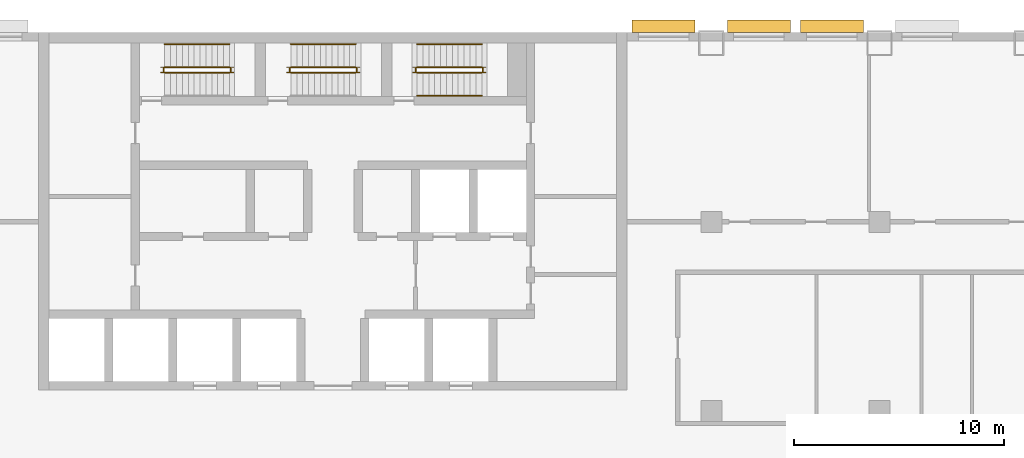
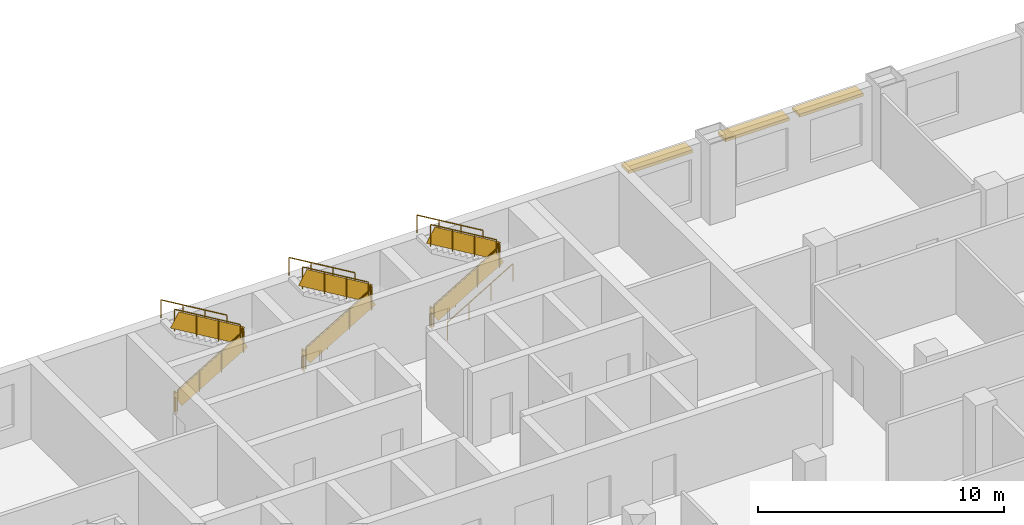
# One storey, part 24 of 25: 16 railings, 3 shading devices.
"""IFC4 building model written with IfcOpenShell, lengths in metres."""

from ifc_helpers import new_model, si_unit, direction, frame, origin, origin_2d, place, context, subcontext, project, spatial, rectangle, circle, extrude, material, layer, layer_set, type_object, element, save


model = new_model("IFC4")

# Units and contexts
model_context = context("Model", 3, precision=1e-05, world=origin(), true_north=direction((0.0, 1.0)))
body_context = subcontext(model_context, "Body", "Model", "MODEL_VIEW")
ifc_project = project(units=[si_unit("LENGTHUNIT", "METRE"), si_unit("AREAUNIT", "SQUARE_METRE"), si_unit("VOLUMEUNIT", "CUBIC_METRE"), si_unit("PLANEANGLEUNIT", "RADIAN"), si_unit("MASSUNIT", "GRAM", prefix="KILO")], contexts=[model_context])

# Site, building, storey
site_placement = place(None, origin())
site = spatial("IfcSite", under=ifc_project, at=site_placement, CompositionType="ELEMENT")
building_placement = place(site_placement, origin())
building = spatial("IfcBuilding", under=site, at=building_placement, Name="Vidyagriha Tower", CompositionType="ELEMENT")
storey_placement = place(building_placement, frame((0.0, 0.0, 10.0)))
storey = spatial("IfcBuildingStorey", under=building, at=storey_placement, Name="L02", CompositionType="ELEMENT", Elevation=10.0)

# Shading devices
ifc_material_1 = material(Name="Precast concrete C40/50 with brick facing", Category="concrete")
ifc_layer = layer(ifc_material_1, 0.14990234375)
ifc_layer_set = layer_set([ifc_layer], Name="Precast concrete C40/50 with brick facing")
shading_device_type = type_object("IfcShadingDeviceType", Name="Brick chhajja window hood", PredefinedType="AWNING", material=ifc_layer_set)
for number, where, z_axis, x_axis, name in (
    (1, (23.735107421875, 20.300048828125, 3.0), (0.0, 0.0, 1.0), (-1.0, 0.0, 0.0), "Window hood L02 R02.9"),
    (2, (20.264892578125, 20.300048828125, 3.0), (0.0, 0.0, 1.0), (-1.0, 0.0, 0.0), "Window hood L02 R02.10"),
    (3, (15.735107421875, 20.300048828125, 3.0), (0.0, 0.0, 1.0), (-1.0, 0.0, 0.0), "Window hood L02 R02.12"),
):
    element("IfcShadingDevice", number, at=place(storey_placement, frame(where, z_axis=z_axis, x_axis=x_axis)), inside=storey, type_object=shading_device_type, Name=name, PredefinedType="AWNING", context=body_context, shape_type="SweptSolid", body=[
        extrude(rectangle(XDim=3.0, YDim=0.60009765625, at=origin_2d()), origin(), (0.0, 0.0, 1.0), 0.14990234375),
    ])

# Railings
ifc_material_2 = material(Name="Steel ASTM A500 Grade C", Category="steel")
railing_type_1 = type_object("IfcRailingType", Name="Stair guard 1100 mm, steel balustrade", PredefinedType="GUARDRAIL", material=ifc_material_2)
railing_1_placement = place(storey_placement, frame((-8.0, 18.10009765625, 0.166748046875)))
element("IfcRailing", 4, at=railing_1_placement, inside=storey, type_object=railing_type_1, Name="L02 ST1 stair guard 1", PredefinedType="GUARDRAIL", context=body_context, shape_type="SweptSolid", body=[
    extrude(circle(Radius=0.02392578125, at=origin_2d()), frame((0.0, 0.0, 1.076171875), z_axis=(0.859308565015, 0.0, 0.511457515432), x_axis=(0.0, 1.0, 0.0)), (0.0, 0.0, 1.0), 3.58447265625),
    extrude(circle(Radius=0.02099609375, at=origin_2d()), origin(), (0.0, 0.0, 1.0), 1.052001953125),
    extrude(circle(Radius=0.02099609375, at=origin_2d()), frame((1.026611328125, 0.0, 0.611083984375)), (0.0, 0.0, 1.0), 1.052001953125),
    extrude(circle(Radius=0.02099609375, at=origin_2d()), frame((2.053466796875, 0.0, 1.22216796875)), (0.0, 0.0, 1.0), 1.052001953125),
    extrude(circle(Radius=0.02099609375, at=origin_2d()), frame((3.080078125, 0.0, 1.833251953125)), (0.0, 0.0, 1.0), 1.052001953125),
    extrude(rectangle(XDim=0.010009765625, YDim=0.775146484375, at=origin_2d()), frame((0.0, 0.0, 0.551025390625), z_axis=(0.859308565015, 0.0, 0.511457515432), x_axis=(0.0, 1.0, 0.0)), (0.0, 0.0, 1.0), 3.58447265625),
])
railing_2_placement = place(storey_placement, frame((-4.8701171875, 18.14990234375, 2.0)))
element("IfcRailing", 5, at=railing_2_placement, inside=storey, type_object=railing_type_1, Name="L02 ST1 stair guard 2", PredefinedType="GUARDRAIL", context=body_context, shape_type="SweptSolid", body=[
    extrude(circle(Radius=0.02392578125, at=origin_2d()), frame((0.0, 0.0, 1.076171875), z_axis=(0.0, 1.0, 0.0), x_axis=(-1.0, 0.0, 0.0)), (0.0, 0.0, 1.0), 0.150146484375),
    extrude(circle(Radius=0.02099609375, at=origin_2d()), origin(), (0.0, 0.0, 1.0), 1.052001953125),
    extrude(circle(Radius=0.02099609375, at=origin_2d()), frame((0.0, 0.150146484375, 0.0)), (0.0, 0.0, 1.0), 1.052001953125),
    extrude(rectangle(XDim=0.010009765625, YDim=0.902099609375, at=origin_2d()), frame((0.0, 0.0, 0.551025390625), z_axis=(0.0, 1.0, 0.0), x_axis=(-1.0, 0.0, 0.0)), (0.0, 0.0, 1.0), 0.150146484375),
])
railing_3_placement = place(storey_placement, frame((-4.919921875, 18.35009765625, 2.166748046875)))
element("IfcRailing", 6, at=railing_3_placement, inside=storey, type_object=railing_type_1, Name="L02 ST1 stair guard 3", PredefinedType="GUARDRAIL", context=body_context, shape_type="SweptSolid", body=[
    extrude(circle(Radius=0.02392578125, at=origin_2d()), frame((0.0, 0.0, 1.076171875), z_axis=(-0.859308565015, 0.0, 0.511457515432), x_axis=(0.0, -1.0, 0.0)), (0.0, 0.0, 1.0), 3.58447265625),
    extrude(circle(Radius=0.02099609375, at=origin_2d()), origin(), (0.0, 0.0, 1.0), 1.052001953125),
    extrude(circle(Radius=0.02099609375, at=origin_2d()), frame((-1.026611328125, 0.0, 0.611083984375)), (0.0, 0.0, 1.0), 1.052001953125),
    extrude(circle(Radius=0.02099609375, at=origin_2d()), frame((-2.053466796875, 0.0, 1.22216796875)), (0.0, 0.0, 1.0), 1.052001953125),
    extrude(circle(Radius=0.02099609375, at=origin_2d()), frame((-3.080078125, 0.0, 1.833251953125)), (0.0, 0.0, 1.0), 1.052001953125),
    extrude(rectangle(XDim=0.010009765625, YDim=0.775146484375, at=origin_2d()), frame((0.0, 0.0, 0.551025390625), z_axis=(-0.859308565015, 0.0, 0.511457515432), x_axis=(0.0, -1.0, 0.0)), (0.0, 0.0, 1.0), 3.58447265625),
])
railing_4_placement = place(storey_placement, frame((-8.050048828125, 18.14990234375, 0.0)))
element("IfcRailing", 7, at=railing_4_placement, inside=storey, type_object=railing_type_1, Name="L02 ST1 stair guard 4", PredefinedType="GUARDRAIL", context=body_context, shape_type="SweptSolid", body=[
    extrude(circle(Radius=0.02392578125, at=origin_2d()), frame((0.0, 0.0, 1.076171875), z_axis=(0.0, 1.0, 0.0), x_axis=(-1.0, 0.0, 0.0)), (0.0, 0.0, 1.0), 0.150146484375),
    extrude(circle(Radius=0.02099609375, at=origin_2d()), origin(), (0.0, 0.0, 1.0), 1.052001953125),
    extrude(circle(Radius=0.02099609375, at=origin_2d()), frame((0.0, 0.150146484375, 0.0)), (0.0, 0.0, 1.0), 1.052001953125),
    extrude(rectangle(XDim=0.010009765625, YDim=0.902099609375, at=origin_2d()), frame((0.0, 0.0, 0.551025390625), z_axis=(0.0, 1.0, 0.0), x_axis=(-1.0, 0.0, 0.0)), (0.0, 0.0, 1.0), 0.150146484375),
])
railing_5_placement = place(storey_placement, frame((-2.0, 18.10009765625, 0.166748046875)))
element("IfcRailing", 8, at=railing_5_placement, inside=storey, type_object=railing_type_1, Name="L02 ST2 stair guard 1", PredefinedType="GUARDRAIL", context=body_context, shape_type="SweptSolid", body=[
    extrude(circle(Radius=0.02392578125, at=origin_2d()), frame((0.0, 0.0, 1.076171875), z_axis=(0.859308565015, 0.0, 0.511457515432), x_axis=(0.0, 1.0, 0.0)), (0.0, 0.0, 1.0), 3.58447265625),
    extrude(circle(Radius=0.02099609375, at=origin_2d()), origin(), (0.0, 0.0, 1.0), 1.052001953125),
    extrude(circle(Radius=0.02099609375, at=origin_2d()), frame((1.026611328125, 0.0, 0.611083984375)), (0.0, 0.0, 1.0), 1.052001953125),
    extrude(circle(Radius=0.02099609375, at=origin_2d()), frame((2.053466796875, 0.0, 1.22216796875)), (0.0, 0.0, 1.0), 1.052001953125),
    extrude(circle(Radius=0.02099609375, at=origin_2d()), frame((3.080078125, 0.0, 1.833251953125)), (0.0, 0.0, 1.0), 1.052001953125),
    extrude(rectangle(XDim=0.010009765625, YDim=0.775146484375, at=origin_2d()), frame((0.0, 0.0, 0.551025390625), z_axis=(0.859308565015, 0.0, 0.511457515432), x_axis=(0.0, 1.0, 0.0)), (0.0, 0.0, 1.0), 3.58447265625),
])
railing_6_placement = place(storey_placement, frame((1.1298828125, 18.14990234375, 2.0)))
element("IfcRailing", 9, at=railing_6_placement, inside=storey, type_object=railing_type_1, Name="L02 ST2 stair guard 2", PredefinedType="GUARDRAIL", context=body_context, shape_type="SweptSolid", body=[
    extrude(circle(Radius=0.02392578125, at=origin_2d()), frame((0.0, 0.0, 1.076171875), z_axis=(0.0, 1.0, 0.0), x_axis=(-1.0, 0.0, 0.0)), (0.0, 0.0, 1.0), 0.150146484375),
    extrude(circle(Radius=0.02099609375, at=origin_2d()), origin(), (0.0, 0.0, 1.0), 1.052001953125),
    extrude(circle(Radius=0.02099609375, at=origin_2d()), frame((0.0, 0.150146484375, 0.0)), (0.0, 0.0, 1.0), 1.052001953125),
    extrude(rectangle(XDim=0.010009765625, YDim=0.902099609375, at=origin_2d()), frame((0.0, 0.0, 0.551025390625), z_axis=(0.0, 1.0, 0.0), x_axis=(-1.0, 0.0, 0.0)), (0.0, 0.0, 1.0), 0.150146484375),
])
railing_7_placement = place(storey_placement, frame((1.080078125, 18.35009765625, 2.166748046875)))
element("IfcRailing", 10, at=railing_7_placement, inside=storey, type_object=railing_type_1, Name="L02 ST2 stair guard 3", PredefinedType="GUARDRAIL", context=body_context, shape_type="SweptSolid", body=[
    extrude(circle(Radius=0.02392578125, at=origin_2d()), frame((0.0, 0.0, 1.076171875), z_axis=(-0.859308565015, 0.0, 0.511457515432), x_axis=(0.0, -1.0, 0.0)), (0.0, 0.0, 1.0), 3.58447265625),
    extrude(circle(Radius=0.02099609375, at=origin_2d()), origin(), (0.0, 0.0, 1.0), 1.052001953125),
    extrude(circle(Radius=0.02099609375, at=origin_2d()), frame((-1.026611328125, 0.0, 0.611083984375)), (0.0, 0.0, 1.0), 1.052001953125),
    extrude(circle(Radius=0.02099609375, at=origin_2d()), frame((-2.053466796875, 0.0, 1.22216796875)), (0.0, 0.0, 1.0), 1.052001953125),
    extrude(circle(Radius=0.02099609375, at=origin_2d()), frame((-3.080078125, 0.0, 1.833251953125)), (0.0, 0.0, 1.0), 1.052001953125),
    extrude(rectangle(XDim=0.010009765625, YDim=0.775146484375, at=origin_2d()), frame((0.0, 0.0, 0.551025390625), z_axis=(-0.859308565015, 0.0, 0.511457515432), x_axis=(0.0, -1.0, 0.0)), (0.0, 0.0, 1.0), 3.58447265625),
])
railing_8_placement = place(storey_placement, frame((-2.050048828125, 18.14990234375, 0.0)))
element("IfcRailing", 11, at=railing_8_placement, inside=storey, type_object=railing_type_1, Name="L02 ST2 stair guard 4", PredefinedType="GUARDRAIL", context=body_context, shape_type="SweptSolid", body=[
    extrude(circle(Radius=0.02392578125, at=origin_2d()), frame((0.0, 0.0, 1.076171875), z_axis=(0.0, 1.0, 0.0), x_axis=(-1.0, 0.0, 0.0)), (0.0, 0.0, 1.0), 0.150146484375),
    extrude(circle(Radius=0.02099609375, at=origin_2d()), origin(), (0.0, 0.0, 1.0), 1.052001953125),
    extrude(circle(Radius=0.02099609375, at=origin_2d()), frame((0.0, 0.150146484375, 0.0)), (0.0, 0.0, 1.0), 1.052001953125),
    extrude(rectangle(XDim=0.010009765625, YDim=0.902099609375, at=origin_2d()), frame((0.0, 0.0, 0.551025390625), z_axis=(0.0, 1.0, 0.0), x_axis=(-1.0, 0.0, 0.0)), (0.0, 0.0, 1.0), 0.150146484375),
])
railing_9_placement = place(storey_placement, frame((4.0, 18.10009765625, 0.166748046875)))
element("IfcRailing", 12, at=railing_9_placement, inside=storey, type_object=railing_type_1, Name="L02 ST3 stair guard 1", PredefinedType="GUARDRAIL", context=body_context, shape_type="SweptSolid", body=[
    extrude(circle(Radius=0.02392578125, at=origin_2d()), frame((0.0, 0.0, 1.076171875), z_axis=(0.859308565015, 0.0, 0.511457515432), x_axis=(0.0, 1.0, 0.0)), (0.0, 0.0, 1.0), 3.58447265625),
    extrude(circle(Radius=0.02099609375, at=origin_2d()), origin(), (0.0, 0.0, 1.0), 1.052001953125),
    extrude(circle(Radius=0.02099609375, at=origin_2d()), frame((1.026611328125, 0.0, 0.611083984375)), (0.0, 0.0, 1.0), 1.052001953125),
    extrude(circle(Radius=0.02099609375, at=origin_2d()), frame((2.053466796875, 0.0, 1.22216796875)), (0.0, 0.0, 1.0), 1.052001953125),
    extrude(circle(Radius=0.02099609375, at=origin_2d()), frame((3.080078125, 0.0, 1.833251953125)), (0.0, 0.0, 1.0), 1.052001953125),
    extrude(rectangle(XDim=0.010009765625, YDim=0.775146484375, at=origin_2d()), frame((0.0, 0.0, 0.551025390625), z_axis=(0.859308565015, 0.0, 0.511457515432), x_axis=(0.0, 1.0, 0.0)), (0.0, 0.0, 1.0), 3.58447265625),
])
railing_10_placement = place(storey_placement, frame((7.1298828125, 18.14990234375, 2.0)))
element("IfcRailing", 13, at=railing_10_placement, inside=storey, type_object=railing_type_1, Name="L02 ST3 stair guard 2", PredefinedType="GUARDRAIL", context=body_context, shape_type="SweptSolid", body=[
    extrude(circle(Radius=0.02392578125, at=origin_2d()), frame((0.0, 0.0, 1.076171875), z_axis=(0.0, 1.0, 0.0), x_axis=(-1.0, 0.0, 0.0)), (0.0, 0.0, 1.0), 0.150146484375),
    extrude(circle(Radius=0.02099609375, at=origin_2d()), origin(), (0.0, 0.0, 1.0), 1.052001953125),
    extrude(circle(Radius=0.02099609375, at=origin_2d()), frame((0.0, 0.150146484375, 0.0)), (0.0, 0.0, 1.0), 1.052001953125),
    extrude(rectangle(XDim=0.010009765625, YDim=0.902099609375, at=origin_2d()), frame((0.0, 0.0, 0.551025390625), z_axis=(0.0, 1.0, 0.0), x_axis=(-1.0, 0.0, 0.0)), (0.0, 0.0, 1.0), 0.150146484375),
])
railing_11_placement = place(storey_placement, frame((7.080078125, 18.35009765625, 2.166748046875)))
element("IfcRailing", 14, at=railing_11_placement, inside=storey, type_object=railing_type_1, Name="L02 ST3 stair guard 3", PredefinedType="GUARDRAIL", context=body_context, shape_type="SweptSolid", body=[
    extrude(circle(Radius=0.02392578125, at=origin_2d()), frame((0.0, 0.0, 1.076171875), z_axis=(-0.859308565015, 0.0, 0.511457515432), x_axis=(0.0, -1.0, 0.0)), (0.0, 0.0, 1.0), 3.58447265625),
    extrude(circle(Radius=0.02099609375, at=origin_2d()), origin(), (0.0, 0.0, 1.0), 1.052001953125),
    extrude(circle(Radius=0.02099609375, at=origin_2d()), frame((-1.026611328125, 0.0, 0.611083984375)), (0.0, 0.0, 1.0), 1.052001953125),
    extrude(circle(Radius=0.02099609375, at=origin_2d()), frame((-2.053466796875, 0.0, 1.22216796875)), (0.0, 0.0, 1.0), 1.052001953125),
    extrude(circle(Radius=0.02099609375, at=origin_2d()), frame((-3.080078125, 0.0, 1.833251953125)), (0.0, 0.0, 1.0), 1.052001953125),
    extrude(rectangle(XDim=0.010009765625, YDim=0.775146484375, at=origin_2d()), frame((0.0, 0.0, 0.551025390625), z_axis=(-0.859308565015, 0.0, 0.511457515432), x_axis=(0.0, -1.0, 0.0)), (0.0, 0.0, 1.0), 3.58447265625),
])
railing_12_placement = place(storey_placement, frame((3.949951171875, 18.14990234375, 0.0)))
element("IfcRailing", 15, at=railing_12_placement, inside=storey, type_object=railing_type_1, Name="L02 ST3 stair guard 4", PredefinedType="GUARDRAIL", context=body_context, shape_type="SweptSolid", body=[
    extrude(circle(Radius=0.02392578125, at=origin_2d()), frame((0.0, 0.0, 1.076171875), z_axis=(0.0, 1.0, 0.0), x_axis=(-1.0, 0.0, 0.0)), (0.0, 0.0, 1.0), 0.150146484375),
    extrude(circle(Radius=0.02099609375, at=origin_2d()), origin(), (0.0, 0.0, 1.0), 1.052001953125),
    extrude(circle(Radius=0.02099609375, at=origin_2d()), frame((0.0, 0.150146484375, 0.0)), (0.0, 0.0, 1.0), 1.052001953125),
    extrude(rectangle(XDim=0.010009765625, YDim=0.902099609375, at=origin_2d()), frame((0.0, 0.0, 0.551025390625), z_axis=(0.0, 1.0, 0.0), x_axis=(-1.0, 0.0, 0.0)), (0.0, 0.0, 1.0), 0.150146484375),
])
ifc_material_3 = material(Name="Steel ASTM A500 Grade C", Category="steel")
railing_type_2 = type_object("IfcRailingType", Name="Stair handrail 900 mm, steel", PredefinedType="HANDRAIL", material=ifc_material_3)
for number, where, name in (
    (16, (-4.919921875, 19.449951171875, 2.166748046875), "L02 ST1 stair handrail 2"),
    (17, (1.080078125, 19.449951171875, 2.166748046875), "L02 ST2 stair handrail 2"),
):
    element("IfcRailing", number, at=place(storey_placement, frame(where)), inside=storey, type_object=railing_type_2, Name=name, PredefinedType="HANDRAIL", context=body_context, shape_type="SweptSolid", body=[
        extrude(circle(Radius=0.02392578125, at=origin_2d()), frame((0.0, 0.0, 0.8759765625), z_axis=(-0.859308565015, 0.0, 0.511457515432), x_axis=(0.0, -1.0, 0.0)), (0.0, 0.0, 1.0), 3.58447265625),
        extrude(circle(Radius=0.02099609375, at=origin_2d()), origin(), (0.0, 0.0, 1.0), 0.851806640625),
        extrude(circle(Radius=0.02099609375, at=origin_2d()), frame((-1.026611328125, 0.0, 0.611083984375)), (0.0, 0.0, 1.0), 0.851806640625),
        extrude(circle(Radius=0.02099609375, at=origin_2d()), frame((-2.053466796875, 0.0, 1.22216796875)), (0.0, 0.0, 1.0), 0.851806640625),
        extrude(circle(Radius=0.02099609375, at=origin_2d()), frame((-3.080078125, 0.0, 1.833251953125)), (0.0, 0.0, 1.0), 0.851806640625),
    ])
railing_13_placement = place(storey_placement, frame((4.0, 17.0, 0.166748046875)))
element("IfcRailing", 18, at=railing_13_placement, inside=storey, type_object=railing_type_2, Name="L02 ST3 stair handrail 1", PredefinedType="HANDRAIL", context=body_context, shape_type="SweptSolid", body=[
    extrude(circle(Radius=0.02392578125, at=origin_2d()), frame((0.0, 0.0, 0.8759765625), z_axis=(0.859308565015, 0.0, 0.511457515432), x_axis=(0.0, 1.0, 0.0)), (0.0, 0.0, 1.0), 3.58447265625),
    extrude(circle(Radius=0.02099609375, at=origin_2d()), origin(), (0.0, 0.0, 1.0), 0.851806640625),
    extrude(circle(Radius=0.02099609375, at=origin_2d()), frame((1.026611328125, 0.0, 0.611083984375)), (0.0, 0.0, 1.0), 0.851806640625),
    extrude(circle(Radius=0.02099609375, at=origin_2d()), frame((2.053466796875, 0.0, 1.22216796875)), (0.0, 0.0, 1.0), 0.851806640625),
    extrude(circle(Radius=0.02099609375, at=origin_2d()), frame((3.080078125, 0.0, 1.833251953125)), (0.0, 0.0, 1.0), 0.851806640625),
])
railing_14_placement = place(storey_placement, frame((7.080078125, 19.449951171875, 2.166748046875)))
element("IfcRailing", 19, at=railing_14_placement, inside=storey, type_object=railing_type_2, Name="L02 ST3 stair handrail 2", PredefinedType="HANDRAIL", context=body_context, shape_type="SweptSolid", body=[
    extrude(circle(Radius=0.02392578125, at=origin_2d()), frame((0.0, 0.0, 0.8759765625), z_axis=(-0.859308565015, 0.0, 0.511457515432), x_axis=(0.0, -1.0, 0.0)), (0.0, 0.0, 1.0), 3.58447265625),
    extrude(circle(Radius=0.02099609375, at=origin_2d()), origin(), (0.0, 0.0, 1.0), 0.851806640625),
    extrude(circle(Radius=0.02099609375, at=origin_2d()), frame((-1.026611328125, 0.0, 0.611083984375)), (0.0, 0.0, 1.0), 0.851806640625),
    extrude(circle(Radius=0.02099609375, at=origin_2d()), frame((-2.053466796875, 0.0, 1.22216796875)), (0.0, 0.0, 1.0), 0.851806640625),
    extrude(circle(Radius=0.02099609375, at=origin_2d()), frame((-3.080078125, 0.0, 1.833251953125)), (0.0, 0.0, 1.0), 0.851806640625),
])

save(model, "model.ifc")
